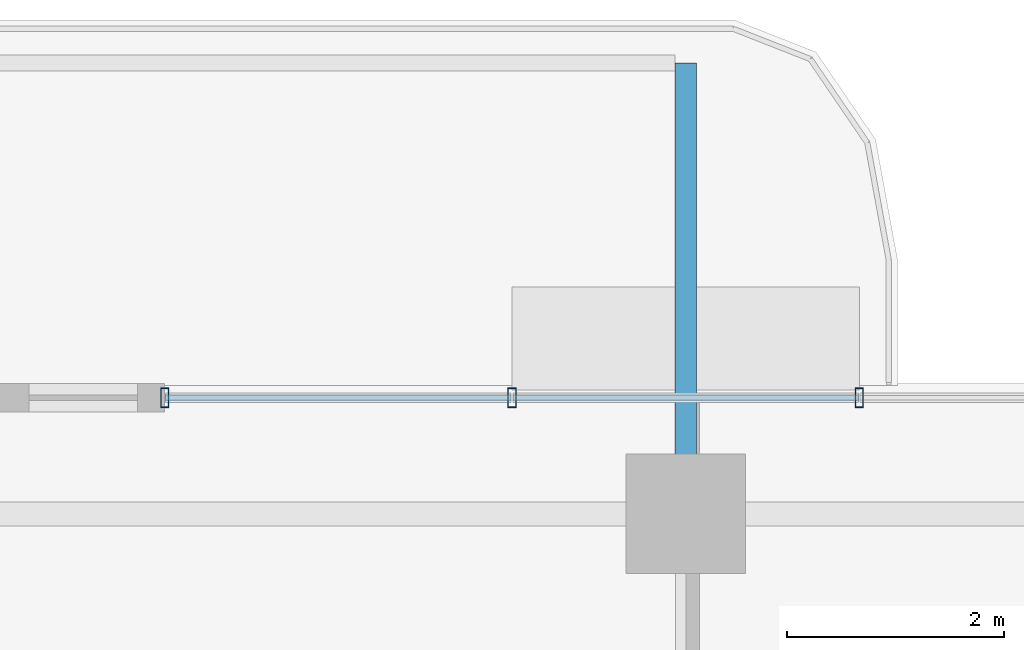
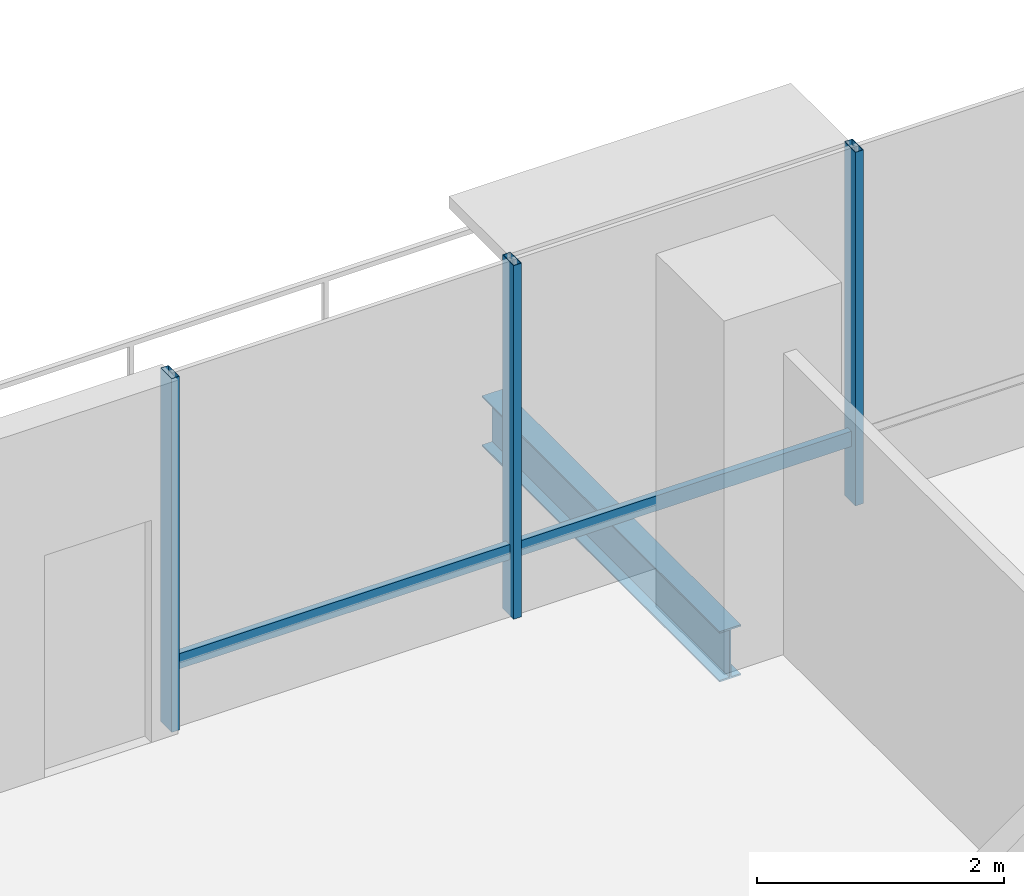
# One storey, part 11 of 24: 5 members, 1 beam, 1 element without a shape of its own.
"""IFC4 building model written with IfcOpenShell, lengths in metres."""

from ifc_helpers import new_model, si_unit, direction, frame, origin, origin_2d, place, context, subcontext, project, spatial, hollow_rectangle, i_section, extrude, material, layer, layer_set, material_profile, profile_set, type_object, element, aggregate, save


model = new_model("IFC4")

# Units and contexts
model_context = context("Model", 3, precision=1e-05, world=origin(), true_north=direction((0.0, 1.0)))
body_context = subcontext(model_context, "Body", "Model", "MODEL_VIEW")
ifc_project = project(units=[si_unit("LENGTHUNIT", "METRE"), si_unit("AREAUNIT", "SQUARE_METRE"), si_unit("VOLUMEUNIT", "CUBIC_METRE"), si_unit("PLANEANGLEUNIT", "RADIAN"), si_unit("MASSUNIT", "GRAM", prefix="KILO")], contexts=[model_context])

# Site, building, storey
site_placement = place(None, origin())
site = spatial("IfcSite", under=ifc_project, at=site_placement, CompositionType="ELEMENT")
building_placement = place(site_placement, origin())
building = spatial("IfcBuilding", under=site, at=building_placement, Name="Belovzor Exchange Tower", CompositionType="ELEMENT")
storey_placement = place(building_placement, frame((0.0, 0.0, 211.199951171875)))
storey = spatial("IfcBuildingStorey", under=building, at=storey_placement, Name="L52", CompositionType="ELEMENT", Elevation=211.199951171875)

# Beam
ifc_material_1 = material(Name="Steel S355", Category="steel")
ifc_material_profile_1 = material_profile(ifc_material_1, i_section(OverallWidth=0.199951171875, OverallDepth=0.5, WebThickness=0.01025390625, FlangeThickness=0.01611328125, at=origin_2d()))
ifc_profile_set_1 = profile_set([ifc_material_profile_1], Name="Steel S355")
beam_type = type_object("IfcBeamType", Name="Planted Balcony Cantilever Beam IPE 500", PredefinedType="BEAM", material=ifc_profile_set_1)
beam_placement = place(storey_placement, frame((28.800048828125, 54.903076171875, -0.5), z_axis=(0.0, 1.0, 0.0), x_axis=(-1.0, 0.0, 0.0)))
element("IfcBeam", 1, at=beam_placement, inside=storey, type_object=beam_type, Name="BC-500 Planted Balcony Cantilever Beam IPE 500", PredefinedType="BEAM", context=body_context, shape_type="SweptSolid", body=[
    extrude(i_section(OverallWidth=0.199951171875, OverallDepth=0.5, WebThickness=0.01025390625, FlangeThickness=0.01611328125, at=origin_2d()), origin(), (0.0, 0.0, 1.0), 3.849853515625),
])

# Curtain wall, members
ifc_material_2 = material(Name="Anodised Aluminium Framing", Category="aluminium")
ifc_layer = layer(ifc_material_2, 0.179931640625)
ifc_layer_set = layer_set([ifc_layer], Name="Anodised Aluminium Framing")
curtain_wall_type = type_object("IfcCurtainWallType", Name="Recessed Loggia Low-Iron Triple-Glazed Curtain Wall", PredefinedType="NOTDEFINED", material=ifc_layer_set)
curtain_wall_placement = place(storey_placement, origin())
curtain_wall = element("IfcCurtainWall", 2, at=curtain_wall_placement, inside=storey, type_object=curtain_wall_type, Name="CW3 Recessed Loggia Low-Iron Triple-Glazed Curtain Wall L52", PredefinedType="NOTDEFINED")
ifc_material_3 = material(Name="Steel S355", Category="steel")
ifc_material_profile_2 = material_profile(ifc_material_3, hollow_rectangle(XDim=0.074951171875, YDim=0.179931640625, WallThickness=0.0048828125, at=origin_2d()))
ifc_profile_set_2 = profile_set([ifc_material_profile_2], Name="Steel S355")
member_type_1 = type_object("IfcMemberType", Name="Thermally Broken Curtain Wall Mullion 180x75", PredefinedType="MULLION", material=ifc_profile_set_2)
member_1_placement = place(storey_placement, frame((24.0, 55.669921875, 0.0), z_axis=(0.0, 0.0, 1.0), x_axis=(1.0, 0.0, 0.0)))
member_1 = element("IfcMember", 3, at=member_1_placement, type_object=member_type_1, Name="CW-M180 Curtain Wall Mullion 1", PredefinedType="MULLION", context=body_context, shape_type="SweptSolid", body=[
    extrude(hollow_rectangle(XDim=0.074951171875, YDim=0.179931640625, WallThickness=0.0048828125, at=origin_2d()), origin(), (0.0, 0.0, 1.0), 3.5),
])
member_2_placement = place(storey_placement, frame((27.199951171875, 55.669921875, 0.0), z_axis=(0.0, 0.0, 1.0), x_axis=(1.0, 0.0, 0.0)))
member_2 = element("IfcMember", 4, at=member_2_placement, type_object=member_type_1, Name="CW-M180 Curtain Wall Mullion 2", PredefinedType="MULLION", context=body_context, shape_type="SweptSolid", body=[
    extrude(hollow_rectangle(XDim=0.074951171875, YDim=0.179931640625, WallThickness=0.0048828125, at=origin_2d()), origin(), (0.0, 0.0, 1.0), 3.5),
])
member_3_placement = place(storey_placement, frame((30.39990234375, 55.669921875, 0.0), z_axis=(0.0, 0.0, 1.0), x_axis=(1.0, 0.0, 0.0)))
member_3 = element("IfcMember", 5, at=member_3_placement, type_object=member_type_1, Name="CW-M180 Curtain Wall Mullion 3", PredefinedType="MULLION", context=body_context, shape_type="SweptSolid", body=[
    extrude(hollow_rectangle(XDim=0.074951171875, YDim=0.179931640625, WallThickness=0.0048828125, at=origin_2d()), origin(), (0.0, 0.0, 1.0), 3.5),
])
ifc_material_4 = material(Name="Steel S355", Category="steel")
ifc_material_profile_3 = material_profile(ifc_material_4, hollow_rectangle(XDim=0.06005859375, YDim=0.14990234375, WallThickness=0.00390625, at=origin_2d()))
ifc_profile_set_3 = profile_set([ifc_material_profile_3], Name="Steel S355")
member_type_2 = type_object("IfcMemberType", Name="Thermally Broken Curtain Wall Transom 150x60", PredefinedType="USERDEFINED", material=ifc_profile_set_3)
member_4_placement = place(storey_placement, frame((24.008056640625, 55.669921875, 0.630126953125), z_axis=(1.0, 0.0, 0.0), x_axis=(0.0, 1.0, 0.0)))
member_4 = element("IfcMember", 6, at=member_4_placement, type_object=member_type_2, Name="CW-T150 Curtain Wall Transom 1", ObjectType="TRANSOM", PredefinedType="USERDEFINED", context=body_context, shape_type="SweptSolid", body=[
    extrude(hollow_rectangle(XDim=0.06005859375, YDim=0.14990234375, WallThickness=0.00390625, at=origin_2d()), origin(), (0.0, 0.0, 1.0), 3.183837890625),
])
member_5_placement = place(storey_placement, frame((27.2080078125, 55.669921875, 0.630126953125), z_axis=(1.0, 0.0, 0.0), x_axis=(0.0, 1.0, 0.0)))
member_5 = element("IfcMember", 7, at=member_5_placement, type_object=member_type_2, Name="CW-T150 Curtain Wall Transom 2", ObjectType="TRANSOM", PredefinedType="USERDEFINED", context=body_context, shape_type="SweptSolid", body=[
    extrude(hollow_rectangle(XDim=0.06005859375, YDim=0.14990234375, WallThickness=0.00390625, at=origin_2d()), origin(), (0.0, 0.0, 1.0), 3.18408203125),
])
aggregate(curtain_wall, [member_1, member_2, member_3, member_4, member_5])

save(model, "model.ifc")
